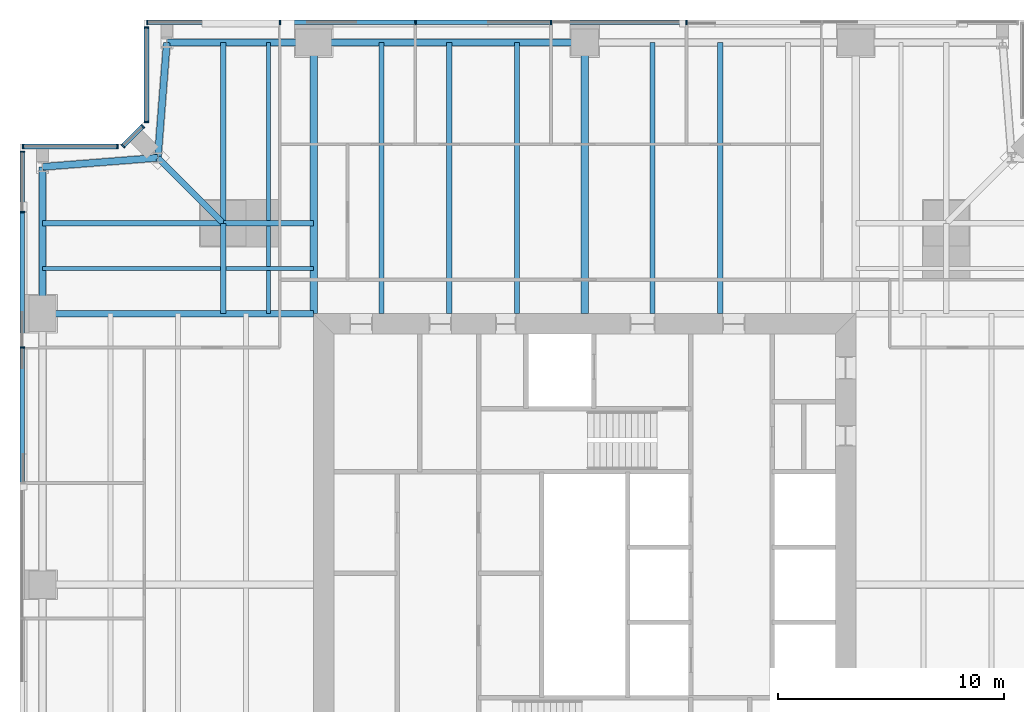
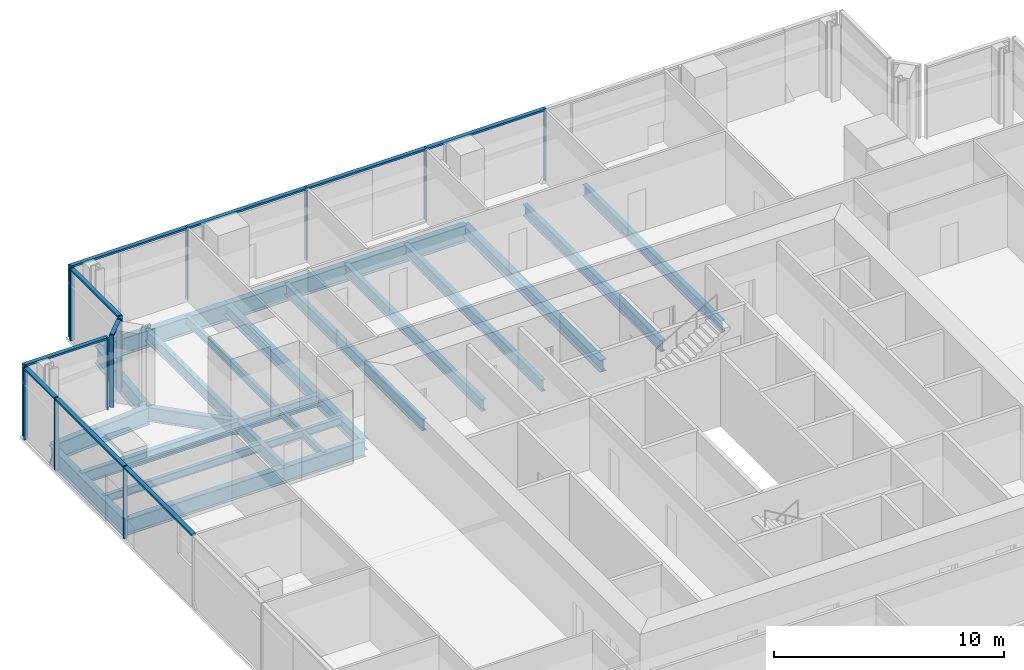
# One storey, part 6 of 14: 24 members, 23 beams, 5 elements without a shape of their own.
"""IFC4 building model written with IfcOpenShell, lengths in metres."""

from ifc_helpers import new_model, si_unit, direction, frame, origin, origin_2d, place, context, subcontext, project, spatial, rectangle, i_section, extrude, material, material_profile, profile_set, type_object, element, aggregate, save


model = new_model("IFC4")

# Units and contexts
model_context = context("Model", 3, precision=1e-05, world=origin(), true_north=direction((0.0, 1.0)))
body_context = subcontext(model_context, "Body", "Model", "MODEL_VIEW")
ifc_project = project(units=[si_unit("LENGTHUNIT", "METRE"), si_unit("AREAUNIT", "SQUARE_METRE"), si_unit("VOLUMEUNIT", "CUBIC_METRE"), si_unit("PLANEANGLEUNIT", "RADIAN"), si_unit("MASSUNIT", "GRAM", prefix="KILO")], contexts=[model_context])

# Site, building, storey
site_placement = place(None, origin())
site = spatial("IfcSite", under=ifc_project, at=site_placement, CompositionType="ELEMENT")
building_placement = place(site_placement, origin())
building = spatial("IfcBuilding", under=site, at=building_placement, Name="Fenwick Lantern Interchange", CompositionType="ELEMENT")
storey_placement = place(building_placement, frame((0.0, 0.0, 193.800048828125)))
storey = spatial("IfcBuildingStorey", under=building, at=storey_placement, Name="L45", CompositionType="ELEMENT", Elevation=193.800048828125)

# Beams
ifc_material_1 = material(Name="Steel ASTM A992 Grade 50", Category="steel")
ifc_material_profile_1 = material_profile(ifc_material_1, i_section(OverallWidth=0.3046875, OverallDepth=0.911865234375, WebThickness=0.015869140625, FlangeThickness=0.02392578125, at=origin_2d()), Name="W36X150")
ifc_profile_set_1 = profile_set([ifc_material_profile_1], Name="Steel ASTM A992 Grade 50")
beam_type_1 = type_object("IfcBeamType", Name="EDGE BEAM W36X150", PredefinedType="SPANDREL", material=ifc_profile_set_1)
beam_1_placement = place(storey_placement, frame((25.0, 49.0, -0.60595703125), z_axis=(-1.0, 0.0, 0.0), x_axis=(0.0, -1.0, 0.0)))
element("IfcBeam", 1, at=beam_1_placement, inside=storey, type_object=beam_type_1, Name="L45/FR/N/EB3", PredefinedType="SPANDREL", context=body_context, shape_type="SweptSolid", body=[
    extrude(i_section(OverallWidth=0.3046875, OverallDepth=0.911865234375, WebThickness=0.015869140625, FlangeThickness=0.02392578125, at=origin_2d()), origin(), (0.0, 0.0, 1.0), 12.0),
])
beam_2_placement = place(storey_placement, frame((13.0, 49.0, -0.60595703125), z_axis=(-1.0, 0.0, 0.0), x_axis=(0.0, -1.0, 0.0)))
element("IfcBeam", 2, at=beam_2_placement, inside=storey, type_object=beam_type_1, Name="L45/FR/N/EB4", PredefinedType="SPANDREL", context=body_context, shape_type="SweptSolid", body=[
    extrude(i_section(OverallWidth=0.3046875, OverallDepth=0.911865234375, WebThickness=0.015869140625, FlangeThickness=0.02392578125, at=origin_2d()), origin(), (0.0, 0.0, 1.0), 6.5),
])
for number, where, z_axis, x_axis, name in (
    (3, (6.5, 49.0, -0.60595703125), (-0.078170784639, -0.99693998236, 0.0), (0.99693998236, -0.078170784639, 0.0), "L45/FR/N/EBR1"),
    (4, (6.10009765625, 43.89990234375, -0.60595703125), (-0.99693998236, -0.078170784639, 0.0), (0.078170784639, -0.99693998236, 0.0), "L45/FR/N/EBR2"),
):
    element("IfcBeam", number, at=place(storey_placement, frame(where, z_axis=z_axis, x_axis=x_axis)), inside=storey, type_object=beam_type_1, Name=name, PredefinedType="SPANDREL", context=body_context, shape_type="SweptSolid", body=[
        extrude(i_section(OverallWidth=0.3046875, OverallDepth=0.911865234375, WebThickness=0.015869140625, FlangeThickness=0.02392578125, at=origin_2d()), origin(), (0.0, 0.0, 1.0), 5.11572265625),
    ])
beam_3_placement = place(storey_placement, frame((1.0, 43.5, -0.60595703125), z_axis=(0.0, -1.0, 0.0), x_axis=(1.0, 0.0, 0.0)))
element("IfcBeam", 5, at=beam_3_placement, inside=storey, type_object=beam_type_1, Name="L45/FR/W/EB1", PredefinedType="SPANDREL", context=body_context, shape_type="SweptSolid", body=[
    extrude(i_section(OverallWidth=0.3046875, OverallDepth=0.911865234375, WebThickness=0.015869140625, FlangeThickness=0.02392578125, at=origin_2d()), origin(), (0.0, 0.0, 1.0), 6.5),
])
ifc_material_profile_2 = material_profile(ifc_material_1, i_section(OverallWidth=0.22900390625, OverallDepth=0.612060546875, WebThickness=0.011962890625, FlangeThickness=0.01953125, at=origin_2d()), Name="W24X84")
ifc_profile_set_2 = profile_set([ifc_material_profile_2], Name="Steel ASTM A992 Grade 50")
beam_type_2 = type_object("IfcBeamType", Name="FLOOR BEAM W24X84", PredefinedType="BEAM", material=ifc_profile_set_2)
for number, where, z_axis, x_axis, name in (
    (6, (31.0, 49.0, -0.4560546875), (0.0, -1.0, 0.0), (1.0, 0.0, 0.0), "L45/FR/N/R03"),
    (7, (28.0, 49.0, -0.4560546875), (0.0, -1.0, 0.0), (1.0, 0.0, 0.0), "L45/FR/N/R04"),
    (8, (22.0, 49.0, -0.4560546875), (0.0, -1.0, 0.0), (1.0, 0.0, 0.0), "L45/FR/N/R06"),
    (9, (19.0, 49.0, -0.4560546875), (0.0, -1.0, 0.0), (1.0, 0.0, 0.0), "L45/FR/N/R07"),
    (10, (16.0, 49.0, -0.4560546875), (0.0, -1.0, 0.0), (1.0, 0.0, 0.0), "L45/FR/N/R08"),
):
    element("IfcBeam", number, at=place(storey_placement, frame(where, z_axis=z_axis, x_axis=x_axis)), inside=storey, type_object=beam_type_2, Name=name, PredefinedType="BEAM", context=body_context, shape_type="SweptSolid", body=[
        extrude(i_section(OverallWidth=0.22900390625, OverallDepth=0.612060546875, WebThickness=0.011962890625, FlangeThickness=0.01953125, at=origin_2d()), origin(), (0.0, 0.0, 1.0), 12.0),
    ])
ifc_material_profile_3 = material_profile(ifc_material_1, i_section(OverallWidth=0.177734375, OverallDepth=0.406494140625, WebThickness=0.0078125, FlangeThickness=0.012939453125, at=origin_2d()), Name="W16X40")
ifc_profile_set_3 = profile_set([ifc_material_profile_3], Name="Steel ASTM A992 Grade 50")
beam_type_3 = type_object("IfcBeamType", Name="INFILL BEAM W16X40", PredefinedType="JOIST", material=ifc_profile_set_3)
beam_4_placement = place(storey_placement, frame((1.0, 39.0, -0.353271484375), z_axis=(1.0, 0.0, 0.0), x_axis=(0.0, 1.0, 0.0)))
element("IfcBeam", 11, at=beam_4_placement, inside=storey, type_object=beam_type_3, Name="L45/FR/W/J1", PredefinedType="JOIST", context=body_context, shape_type="SweptSolid", body=[
    extrude(i_section(OverallWidth=0.177734375, OverallDepth=0.406494140625, WebThickness=0.0078125, FlangeThickness=0.012939453125, at=origin_2d()), origin(), (0.0, 0.0, 1.0), 7.885498046875),
])
beam_5_placement = place(storey_placement, frame((9.114501953125, 39.0, -0.353271484375), z_axis=(1.0, 0.0, 0.0), x_axis=(0.0, 1.0, 0.0)))
element("IfcBeam", 12, at=beam_5_placement, inside=storey, type_object=beam_type_3, Name="L45/FR/W/J2", PredefinedType="JOIST", context=body_context, shape_type="SweptSolid", body=[
    extrude(i_section(OverallWidth=0.177734375, OverallDepth=0.406494140625, WebThickness=0.0078125, FlangeThickness=0.012939453125, at=origin_2d()), origin(), (0.0, 0.0, 1.0), 3.885498046875),
])
beam_6_placement = place(storey_placement, frame((11.0, 49.0, -0.353271484375), z_axis=(0.0, -1.0, 0.0), x_axis=(1.0, 0.0, 0.0)))
element("IfcBeam", 13, at=beam_6_placement, inside=storey, type_object=beam_type_3, Name="L45/FR/W/J3", PredefinedType="JOIST", context=body_context, shape_type="SweptSolid", body=[
    extrude(i_section(OverallWidth=0.177734375, OverallDepth=0.406494140625, WebThickness=0.0078125, FlangeThickness=0.012939453125, at=origin_2d()), origin(), (0.0, 0.0, 1.0), 7.885498046875),
])
beam_7_placement = place(storey_placement, frame((11.0, 40.885498046875, -0.353271484375), z_axis=(0.0, -1.0, 0.0), x_axis=(1.0, 0.0, 0.0)))
element("IfcBeam", 14, at=beam_7_placement, inside=storey, type_object=beam_type_3, Name="L45/FR/W/J4", PredefinedType="JOIST", context=body_context, shape_type="SweptSolid", body=[
    extrude(i_section(OverallWidth=0.177734375, OverallDepth=0.406494140625, WebThickness=0.0078125, FlangeThickness=0.012939453125, at=origin_2d()), origin(), (0.0, 0.0, 1.0), 1.796630859375),
])
beam_8_placement = place(storey_placement, frame((11.0, 38.9111328125, -0.353271484375), z_axis=(0.0, -1.0, 0.0), x_axis=(1.0, 0.0, 0.0)))
element("IfcBeam", 15, at=beam_8_placement, inside=storey, type_object=beam_type_3, Name="L45/FR/W/J5", PredefinedType="JOIST", context=body_context, shape_type="SweptSolid", body=[
    extrude(i_section(OverallWidth=0.177734375, OverallDepth=0.406494140625, WebThickness=0.0078125, FlangeThickness=0.012939453125, at=origin_2d()), origin(), (0.0, 0.0, 1.0), 1.9111328125),
])
ifc_material_profile_4 = material_profile(ifc_material_1, i_section(OverallWidth=0.22900390625, OverallDepth=0.612060546875, WebThickness=0.011962890625, FlangeThickness=0.01953125, at=origin_2d()), Name="W24X84")
ifc_profile_set_4 = profile_set([ifc_material_profile_4], Name="Steel ASTM A992 Grade 50")
beam_type_4 = type_object("IfcBeamType", Name="MEGA COLUMN BEAM W24X84", PredefinedType="BEAM", material=ifc_profile_set_4)
for number, where, z_axis, x_axis, name in (
    (16, (9.0, 41.0, -0.4560546875), (-1.0, 0.0, 0.0), (0.0, -1.0, 0.0), "L45/FR/W/MB1"),
    (17, (9.0, 41.0, -0.4560546875), (0.0, 1.0, 0.0), (-1.0, 0.0, 0.0), "L45/FR/W/MB2"),
):
    element("IfcBeam", number, at=place(storey_placement, frame(where, z_axis=z_axis, x_axis=x_axis)), inside=storey, type_object=beam_type_4, Name=name, PredefinedType="BEAM", context=body_context, shape_type="SweptSolid", body=[
        extrude(i_section(OverallWidth=0.22900390625, OverallDepth=0.612060546875, WebThickness=0.011962890625, FlangeThickness=0.01953125, at=origin_2d()), origin(), (0.0, 0.0, 1.0), 8.0),
    ])
for number, where, z_axis, x_axis, name in (
    (18, (9.0, 41.0, -0.4560546875), (0.0, -1.0, 0.0), (1.0, 0.0, 0.0), "L45/FR/W/MB3"),
    (19, (9.0, 41.0, -0.4560546875), (1.0, 0.0, 0.0), (0.0, 1.0, 0.0), "L45/FR/W/MB4"),
):
    element("IfcBeam", number, at=place(storey_placement, frame(where, z_axis=z_axis, x_axis=x_axis)), inside=storey, type_object=beam_type_4, Name=name, PredefinedType="BEAM", context=body_context, shape_type="SweptSolid", body=[
        extrude(i_section(OverallWidth=0.22900390625, OverallDepth=0.612060546875, WebThickness=0.011962890625, FlangeThickness=0.01953125, at=origin_2d()), origin(), (0.0, 0.0, 1.0), 4.0),
    ])
ifc_material_profile_5 = material_profile(ifc_material_1, i_section(OverallWidth=0.32763671875, OverallDepth=0.622314453125, WebThickness=0.015380859375, FlangeThickness=0.0244140625, at=origin_2d()), Name="W24X131")
ifc_profile_set_5 = profile_set([ifc_material_profile_5], Name="Steel ASTM A992 Grade 50")
beam_type_5 = type_object("IfcBeamType", Name="MOMENT-CONNECTED GIRDER W24X131", PredefinedType="BEAM", material=ifc_profile_set_5)
for number, where, z_axis, x_axis, name in (
    (20, (25.0, 49.0, -0.461181640625), (0.0, -1.0, 0.0), (1.0, 0.0, 0.0), "L45/FR/N/R05"),
    (21, (13.0, 49.0, -0.461181640625), (0.0, -1.0, 0.0), (1.0, 0.0, 0.0), "L45/FR/N/R09"),
):
    element("IfcBeam", number, at=place(storey_placement, frame(where, z_axis=z_axis, x_axis=x_axis)), inside=storey, type_object=beam_type_5, Name=name, PredefinedType="BEAM", context=body_context, shape_type="SweptSolid", body=[
        extrude(i_section(OverallWidth=0.32763671875, OverallDepth=0.622314453125, WebThickness=0.015380859375, FlangeThickness=0.0244140625, at=origin_2d()), origin(), (0.0, 0.0, 1.0), 12.0),
    ])
ifc_material_profile_6 = material_profile(ifc_material_1, i_section(OverallWidth=0.2919921875, OverallDepth=0.845703125, WebThickness=0.015380859375, FlangeThickness=0.0244140625, at=origin_2d()), Name="W33X141")
ifc_profile_set_6 = profile_set([ifc_material_profile_6], Name="Steel ASTM A992 Grade 50")
beam_type_6 = type_object("IfcBeamType", Name="MOMENT-CONNECTED GIRDER W33X141", PredefinedType="BEAM", material=ifc_profile_set_6)
beam_9_placement = place(storey_placement, frame((1.0, 37.0, -0.572998046875), z_axis=(1.0, 0.0, 0.0), x_axis=(0.0, 1.0, 0.0)))
element("IfcBeam", 22, at=beam_9_placement, inside=storey, type_object=beam_type_6, Name="L45/FR/W/R01", PredefinedType="BEAM", context=body_context, shape_type="SweptSolid", body=[
    extrude(i_section(OverallWidth=0.2919921875, OverallDepth=0.845703125, WebThickness=0.015380859375, FlangeThickness=0.0244140625, at=origin_2d()), origin(), (0.0, 0.0, 1.0), 12.0),
])
ifc_material_profile_7 = material_profile(ifc_material_1, i_section(OverallWidth=0.2666015625, OverallDepth=0.7568359375, WebThickness=0.013916015625, FlangeThickness=0.019287109375, at=origin_2d()), Name="W30X108")
ifc_profile_set_7 = profile_set([ifc_material_profile_7], Name="Steel ASTM A992 Grade 50")
beam_type_7 = type_object("IfcBeamType", Name="NOTCH BEAM W30X108", PredefinedType="BEAM", material=ifc_profile_set_7)
beam_10_placement = place(storey_placement, frame((9.0, 41.0, -0.528564453125), z_axis=(-0.707106781187, 0.707106781187, 0.0), x_axis=(-0.707106781187, -0.707106781187, 0.0)))
element("IfcBeam", 23, at=beam_10_placement, inside=storey, type_object=beam_type_7, Name="L45/FR/W/TG", PredefinedType="BEAM", context=body_context, shape_type="SweptSolid", body=[
    extrude(i_section(OverallWidth=0.2666015625, OverallDepth=0.7568359375, WebThickness=0.013916015625, FlangeThickness=0.019287109375, at=origin_2d()), origin(), (0.0, 0.0, 1.0), 4.10107421875),
])

# Curtain wall, members
ifc_material_2 = material(Name="Aluminium curtain wall frame", Category="aluminium")
curtain_wall_type = type_object("IfcCurtainWallType", Name="OFFICE CURTAIN WALL", PredefinedType="USERDEFINED", material=ifc_material_2)
curtain_wall_1_placement = place(storey_placement, origin())
curtain_wall_1 = element("IfcCurtainWall", 24, at=curtain_wall_1_placement, inside=storey, type_object=curtain_wall_type, Name="Office curtain wall 09", ObjectType="OFFICE CURTAIN WALL", PredefinedType="USERDEFINED")
ifc_material_3 = material(Name="Aluminium extrusion", Category="aluminium")
ifc_material_profile_8 = material_profile(ifc_material_3, rectangle(XDim=0.199951171875, YDim=0.06494140625, at=origin_2d()), Name="OFFICE CURTAIN WALL MULLION 65 X 200")
ifc_profile_set_8 = profile_set([ifc_material_profile_8], Name="Aluminium extrusion")
member_type_1 = type_object("IfcMemberType", Name="OFFICE CURTAIN WALL MULLION 65 X 200", PredefinedType="MULLION", material=ifc_profile_set_8)
member_1_placement = place(storey_placement, frame((29.5, 49.89990234375, 0.0), z_axis=(0.0, 0.0, 1.0), x_axis=(0.0, -1.0, 0.0)))
member_1 = element("IfcMember", 25, at=member_1_placement, type_object=member_type_1, Name="L45/CW/09/M03", PredefinedType="MULLION", context=body_context, shape_type="SweptSolid", body=[
    extrude(rectangle(XDim=0.199951171875, YDim=0.06494140625, at=origin_2d()), origin(), (0.0, 0.0, 1.0), 3.849853515625),
])
member_2_placement = place(storey_placement, frame((23.5, 49.89990234375, 0.0), z_axis=(0.0, 0.0, 1.0), x_axis=(0.0, -1.0, 0.0)))
member_2 = element("IfcMember", 26, at=member_2_placement, type_object=member_type_1, Name="L45/CW/09/M04", PredefinedType="MULLION", context=body_context, shape_type="SweptSolid", body=[
    extrude(rectangle(XDim=0.199951171875, YDim=0.06494140625, at=origin_2d()), origin(), (0.0, 0.0, 1.0), 3.849853515625),
])
member_3_placement = place(storey_placement, frame((17.5, 49.89990234375, 0.0), z_axis=(0.0, 0.0, 1.0), x_axis=(0.0, -1.0, 0.0)))
member_3 = element("IfcMember", 27, at=member_3_placement, type_object=member_type_1, Name="L45/CW/09/M05", PredefinedType="MULLION", context=body_context, shape_type="SweptSolid", body=[
    extrude(rectangle(XDim=0.199951171875, YDim=0.06494140625, at=origin_2d()), origin(), (0.0, 0.0, 1.0), 3.849853515625),
])
member_4_placement = place(storey_placement, frame((11.5, 49.89990234375, 0.0), z_axis=(0.0, 0.0, 1.0), x_axis=(0.0, -1.0, 0.0)))
member_4 = element("IfcMember", 28, at=member_4_placement, type_object=member_type_1, Name="L45/CW/09/M06", PredefinedType="MULLION", context=body_context, shape_type="SweptSolid", body=[
    extrude(rectangle(XDim=0.199951171875, YDim=0.06494140625, at=origin_2d()), origin(), (0.0, 0.0, 1.0), 3.849853515625),
])
member_5_placement = place(storey_placement, frame((5.632568359375, 49.89990234375, 0.0), z_axis=(0.0, 0.0, 1.0), x_axis=(0.0, -1.0, 0.0)))
member_5 = element("IfcMember", 29, at=member_5_placement, type_object=member_type_1, Name="L45/CW/09/M07", PredefinedType="MULLION", context=body_context, shape_type="SweptSolid", body=[
    extrude(rectangle(XDim=0.199951171875, YDim=0.06494140625, at=origin_2d()), origin(), (0.0, 0.0, 1.0), 3.849853515625),
])

curtain_wall_2_placement = place(storey_placement, origin())
curtain_wall_2 = element("IfcCurtainWall", 30, at=curtain_wall_2_placement, inside=storey, type_object=curtain_wall_type, Name="Office curtain wall 10", ObjectType="OFFICE CURTAIN WALL", PredefinedType="USERDEFINED")
member_6_placement = place(storey_placement, frame((5.60009765625, 49.66748046875, 0.0), z_axis=(0.0, 0.0, 1.0), x_axis=(1.0, 0.0, 0.0)))
member_6 = element("IfcMember", 31, at=member_6_placement, type_object=member_type_1, Name="L45/CW/10/M00", PredefinedType="MULLION", context=body_context, shape_type="SweptSolid", body=[
    extrude(rectangle(XDim=0.199951171875, YDim=0.06494140625, at=origin_2d()), origin(), (0.0, 0.0, 1.0), 3.849853515625),
])
member_7_placement = place(storey_placement, frame((5.60009765625, 45.490966796875, 0.0), z_axis=(0.0, 0.0, 1.0), x_axis=(1.0, 0.0, 0.0)))
member_7 = element("IfcMember", 32, at=member_7_placement, type_object=member_type_1, Name="L45/CW/10/M01", PredefinedType="MULLION", context=body_context, shape_type="SweptSolid", body=[
    extrude(rectangle(XDim=0.199951171875, YDim=0.06494140625, at=origin_2d()), origin(), (0.0, 0.0, 1.0), 3.849853515625),
])

curtain_wall_3_placement = place(storey_placement, origin())
curtain_wall_3 = element("IfcCurtainWall", 33, at=curtain_wall_3_placement, inside=storey, type_object=curtain_wall_type, Name="Office curtain wall 11", ObjectType="OFFICE CURTAIN WALL", PredefinedType="USERDEFINED")
member_8_placement = place(storey_placement, frame((5.435546875, 45.294189453125, 0.0), z_axis=(0.0, 0.0, 1.0), x_axis=(0.707106781187, -0.707106781187, 0.0)))
member_8 = element("IfcMember", 34, at=member_8_placement, type_object=member_type_1, Name="L45/CW/11/M00", PredefinedType="MULLION", context=body_context, shape_type="SweptSolid", body=[
    extrude(rectangle(XDim=0.199951171875, YDim=0.06494140625, at=origin_2d()), origin(), (0.0, 0.0, 1.0), 3.849853515625),
])
member_9_placement = place(storey_placement, frame((4.564453125, 44.423095703125, 0.0), z_axis=(0.0, 0.0, 1.0), x_axis=(0.707106781187, -0.707106781187, 0.0)))
member_9 = element("IfcMember", 35, at=member_9_placement, type_object=member_type_1, Name="L45/CW/11/M01", PredefinedType="MULLION", context=body_context, shape_type="SweptSolid", body=[
    extrude(rectangle(XDim=0.199951171875, YDim=0.06494140625, at=origin_2d()), origin(), (0.0, 0.0, 1.0), 3.849853515625),
])

curtain_wall_4_placement = place(storey_placement, origin())
curtain_wall_4 = element("IfcCurtainWall", 36, at=curtain_wall_4_placement, inside=storey, type_object=curtain_wall_type, Name="Office curtain wall 12", ObjectType="OFFICE CURTAIN WALL", PredefinedType="USERDEFINED")
member_10_placement = place(storey_placement, frame((4.308837890625, 44.39990234375, 0.0), z_axis=(0.0, 0.0, 1.0), x_axis=(0.0, -1.0, 0.0)))
member_10 = element("IfcMember", 37, at=member_10_placement, type_object=member_type_1, Name="L45/CW/12/M00", PredefinedType="MULLION", context=body_context, shape_type="SweptSolid", body=[
    extrude(rectangle(XDim=0.199951171875, YDim=0.06494140625, at=origin_2d()), origin(), (0.0, 0.0, 1.0), 3.849853515625),
])
member_11_placement = place(storey_placement, frame((0.132568359375, 44.39990234375, 0.0), z_axis=(0.0, 0.0, 1.0), x_axis=(0.0, -1.0, 0.0)))
member_11 = element("IfcMember", 38, at=member_11_placement, type_object=member_type_1, Name="L45/CW/12/M01", PredefinedType="MULLION", context=body_context, shape_type="SweptSolid", body=[
    extrude(rectangle(XDim=0.199951171875, YDim=0.06494140625, at=origin_2d()), origin(), (0.0, 0.0, 1.0), 3.849853515625),
])

curtain_wall_5_placement = place(storey_placement, origin())
curtain_wall_5 = element("IfcCurtainWall", 39, at=curtain_wall_5_placement, inside=storey, type_object=curtain_wall_type, Name="Office curtain wall 13", ObjectType="OFFICE CURTAIN WALL", PredefinedType="USERDEFINED")
member_12_placement = place(storey_placement, frame((0.10009765625, 44.16748046875, 0.0), z_axis=(0.0, 0.0, 1.0), x_axis=(1.0, 0.0, 0.0)))
member_12 = element("IfcMember", 40, at=member_12_placement, type_object=member_type_1, Name="L45/CW/13/M00", PredefinedType="MULLION", context=body_context, shape_type="SweptSolid", body=[
    extrude(rectangle(XDim=0.199951171875, YDim=0.06494140625, at=origin_2d()), origin(), (0.0, 0.0, 1.0), 3.849853515625),
])
member_13_placement = place(storey_placement, frame((0.10009765625, 41.5, 0.0), z_axis=(0.0, 0.0, 1.0), x_axis=(1.0, 0.0, 0.0)))
member_13 = element("IfcMember", 41, at=member_13_placement, type_object=member_type_1, Name="L45/CW/13/M01", PredefinedType="MULLION", context=body_context, shape_type="SweptSolid", body=[
    extrude(rectangle(XDim=0.199951171875, YDim=0.06494140625, at=origin_2d()), origin(), (0.0, 0.0, 1.0), 3.849853515625),
])
member_14_placement = place(storey_placement, frame((0.10009765625, 35.5, 0.0), z_axis=(0.0, 0.0, 1.0), x_axis=(1.0, 0.0, 0.0)))
member_14 = element("IfcMember", 42, at=member_14_placement, type_object=member_type_1, Name="L45/CW/13/M02", PredefinedType="MULLION", context=body_context, shape_type="SweptSolid", body=[
    extrude(rectangle(XDim=0.199951171875, YDim=0.06494140625, at=origin_2d()), origin(), (0.0, 0.0, 1.0), 3.849853515625),
])

# Member
ifc_material_profile_9 = material_profile(ifc_material_3, rectangle(XDim=0.199951171875, YDim=0.10009765625, at=origin_2d()), Name="OFFICE CURTAIN WALL TRANSOM 100 X 200")
ifc_profile_set_9 = profile_set([ifc_material_profile_9], Name="Aluminium extrusion")
member_type_2 = type_object("IfcMemberType", Name="OFFICE CURTAIN WALL TRANSOM 100 X 200", PredefinedType="MULLION", material=ifc_profile_set_9)
member_15_placement = place(storey_placement, frame((29.467529296875, 49.89990234375, 3.800048828125), z_axis=(-1.0, 0.0, 0.0), x_axis=(0.0, -1.0, 0.0)))
member_15 = element("IfcMember", 43, at=member_15_placement, type_object=member_type_2, Name="L45/CW/09/T03", PredefinedType="MULLION", context=body_context, shape_type="SweptSolid", body=[
    extrude(rectangle(XDim=0.199951171875, YDim=0.10009765625, at=origin_2d()), origin(), (0.0, 0.0, 1.0), 5.93505859375),
])

member_16_placement = place(storey_placement, frame((23.467529296875, 49.89990234375, 3.800048828125), z_axis=(-1.0, 0.0, 0.0), x_axis=(0.0, -1.0, 0.0)))
member_16 = element("IfcMember", 44, at=member_16_placement, type_object=member_type_2, Name="L45/CW/09/T04", PredefinedType="MULLION", context=body_context, shape_type="SweptSolid", body=[
    extrude(rectangle(XDim=0.199951171875, YDim=0.10009765625, at=origin_2d()), origin(), (0.0, 0.0, 1.0), 5.93505859375),
])

member_17_placement = place(storey_placement, frame((17.467529296875, 49.89990234375, 3.800048828125), z_axis=(-1.0, 0.0, 0.0), x_axis=(0.0, -1.0, 0.0)))
member_17 = element("IfcMember", 45, at=member_17_placement, type_object=member_type_2, Name="L45/CW/09/T05", PredefinedType="MULLION", context=body_context, shape_type="SweptSolid", body=[
    extrude(rectangle(XDim=0.199951171875, YDim=0.10009765625, at=origin_2d()), origin(), (0.0, 0.0, 1.0), 5.93505859375),
])

member_18_placement = place(storey_placement, frame((11.467529296875, 49.89990234375, 3.800048828125), z_axis=(-1.0, 0.0, 0.0), x_axis=(0.0, -1.0, 0.0)))
member_18 = element("IfcMember", 46, at=member_18_placement, type_object=member_type_2, Name="L45/CW/09/T06", PredefinedType="MULLION", context=body_context, shape_type="SweptSolid", body=[
    extrude(rectangle(XDim=0.199951171875, YDim=0.10009765625, at=origin_2d()), origin(), (0.0, 0.0, 1.0), 5.802490234375),
])

aggregate(curtain_wall_1, [member_1, member_2, member_3, member_4, member_5, member_15, member_16, member_17, member_18])

member_19_placement = place(storey_placement, frame((5.60009765625, 49.635009765625, 3.800048828125), z_axis=(0.0, -1.0, 0.0), x_axis=(1.0, 0.0, 0.0)))
member_19 = element("IfcMember", 47, at=member_19_placement, type_object=member_type_2, Name="L45/CW/10/T00", PredefinedType="MULLION", context=body_context, shape_type="SweptSolid", body=[
    extrude(rectangle(XDim=0.199951171875, YDim=0.10009765625, at=origin_2d()), origin(), (0.0, 0.0, 1.0), 4.111328125),
])

aggregate(curtain_wall_2, [member_6, member_7, member_19])

member_20_placement = place(storey_placement, frame((5.41259765625, 45.271240234375, 3.800048828125), z_axis=(-0.707106781187, -0.707106781187, 0.0), x_axis=(0.707106781187, -0.707106781187, 0.0)))
member_20 = element("IfcMember", 48, at=member_20_placement, type_object=member_type_2, Name="L45/CW/11/T00", PredefinedType="MULLION", context=body_context, shape_type="SweptSolid", body=[
    extrude(rectangle(XDim=0.199951171875, YDim=0.10009765625, at=origin_2d()), origin(), (0.0, 0.0, 1.0), 1.1669921875),
])

aggregate(curtain_wall_3, [member_8, member_9, member_20])

member_21_placement = place(storey_placement, frame((4.2763671875, 44.39990234375, 3.800048828125), z_axis=(-1.0, 0.0, 0.0), x_axis=(0.0, -1.0, 0.0)))
member_21 = element("IfcMember", 49, at=member_21_placement, type_object=member_type_2, Name="L45/CW/12/T00", PredefinedType="MULLION", context=body_context, shape_type="SweptSolid", body=[
    extrude(rectangle(XDim=0.199951171875, YDim=0.10009765625, at=origin_2d()), origin(), (0.0, 0.0, 1.0), 4.111328125),
])

aggregate(curtain_wall_4, [member_10, member_11, member_21])

member_22_placement = place(storey_placement, frame((0.10009765625, 44.135009765625, 3.800048828125), z_axis=(0.0, -1.0, 0.0), x_axis=(1.0, 0.0, 0.0)))
member_22 = element("IfcMember", 50, at=member_22_placement, type_object=member_type_2, Name="L45/CW/13/T00", PredefinedType="MULLION", context=body_context, shape_type="SweptSolid", body=[
    extrude(rectangle(XDim=0.199951171875, YDim=0.10009765625, at=origin_2d()), origin(), (0.0, 0.0, 1.0), 2.6025390625),
])

member_23_placement = place(storey_placement, frame((0.10009765625, 41.467529296875, 3.800048828125), z_axis=(0.0, -1.0, 0.0), x_axis=(1.0, 0.0, 0.0)))
member_23 = element("IfcMember", 51, at=member_23_placement, type_object=member_type_2, Name="L45/CW/13/T01", PredefinedType="MULLION", context=body_context, shape_type="SweptSolid", body=[
    extrude(rectangle(XDim=0.199951171875, YDim=0.10009765625, at=origin_2d()), origin(), (0.0, 0.0, 1.0), 5.93505859375),
])

member_24_placement = place(storey_placement, frame((0.10009765625, 35.467529296875, 3.800048828125), z_axis=(0.0, -1.0, 0.0), x_axis=(1.0, 0.0, 0.0)))
member_24 = element("IfcMember", 52, at=member_24_placement, type_object=member_type_2, Name="L45/CW/13/T02", PredefinedType="MULLION", context=body_context, shape_type="SweptSolid", body=[
    extrude(rectangle(XDim=0.199951171875, YDim=0.10009765625, at=origin_2d()), origin(), (0.0, 0.0, 1.0), 5.93505859375),
])

aggregate(curtain_wall_5, [member_12, member_13, member_14, member_22, member_23, member_24])

save(model, "model.ifc")
